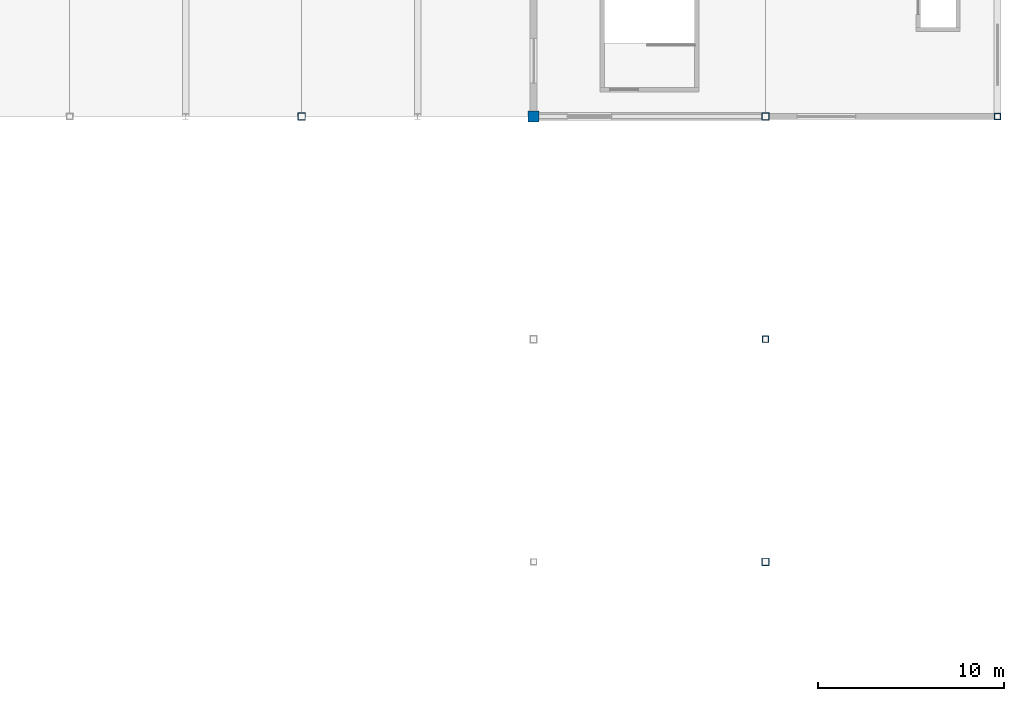
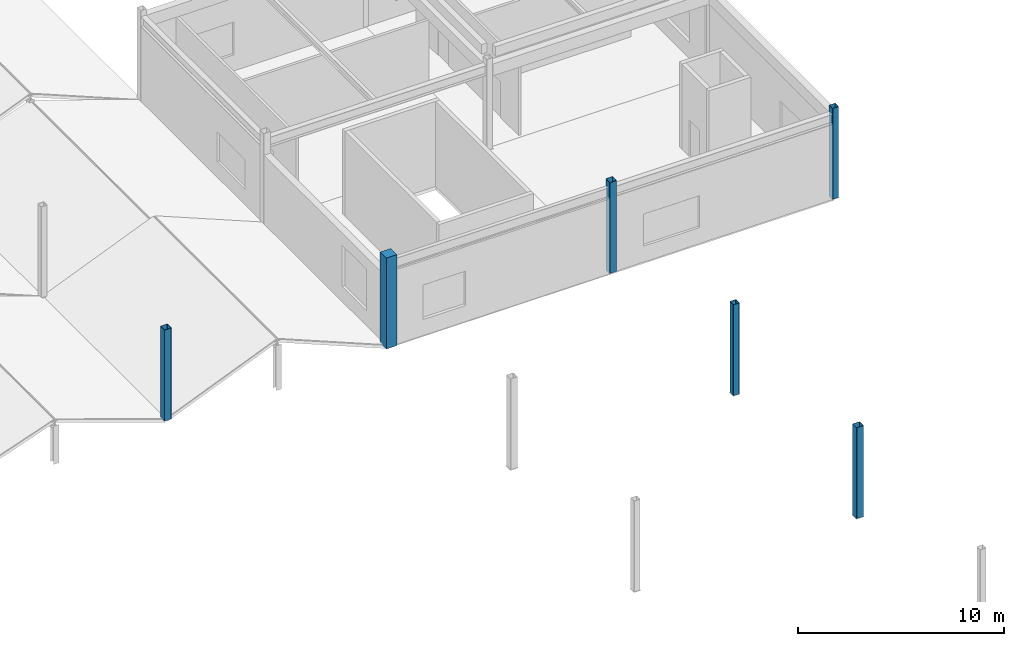
# One storey, part 18 of 76: 6 columns.
"""IFC4 building model written with IfcOpenShell, lengths in metres."""

from ifc_helpers import new_model, si_unit, direction, frame, origin, origin_2d, place, context, subcontext, project, spatial, rectangle, hollow_rectangle, extrude, material, material_profile, profile_set, type_object, element, save


model = new_model("IFC4")

# Units and contexts
model_context = context("Model", 3, precision=1e-05, world=origin(), true_north=direction((0.0, 1.0)))
body_context = subcontext(model_context, "Body", "Model", "MODEL_VIEW")
ifc_project = project(units=[si_unit("LENGTHUNIT", "METRE"), si_unit("AREAUNIT", "SQUARE_METRE"), si_unit("VOLUMEUNIT", "CUBIC_METRE"), si_unit("PLANEANGLEUNIT", "RADIAN"), si_unit("MASSUNIT", "GRAM", prefix="KILO")], contexts=[model_context])

# Site, building, storey
site_placement = place(None, origin())
site = spatial("IfcSite", under=ifc_project, at=site_placement, CompositionType="ELEMENT")
building_placement = place(site_placement, origin())
building = spatial("IfcBuilding", under=site, at=building_placement, Name="Kazenohara Klinker Stadium", CompositionType="ELEMENT")
storey_placement = place(building_placement, frame((0.0, 0.0, 25.800048828125)))
storey = spatial("IfcBuildingStorey", under=building, at=storey_placement, Name="L05", CompositionType="ELEMENT", Elevation=25.800048828125)

# Columns
ifc_material_1 = material(Name="Concrete C40/50", Category="concrete")
ifc_material_profile_1 = material_profile(ifc_material_1, rectangle(XDim=0.60009765625, YDim=0.60009765625, at=origin_2d()), Name="RC-COL-600x600")
ifc_profile_set_1 = profile_set([ifc_material_profile_1], Name="Concrete C40/50")
column_type_1 = type_object("IfcColumnType", Name="COL-RC07", PredefinedType="COLUMN", material=ifc_profile_set_1)
column_placement = place(storey_placement, frame((175.0, 132.0, 0.0), z_axis=(0.0, 0.0, 1.0), x_axis=(1.0, 0.0, 0.0)))
element("IfcColumn", 1, at=column_placement, inside=storey, type_object=column_type_1, Name="Column C07 L05 15/M", PredefinedType="COLUMN", context=body_context, shape_type="SweptSolid", body=[
    extrude(rectangle(XDim=0.60009765625, YDim=0.60009765625, at=origin_2d()), origin(), (0.0, 0.0, 1.0), 5.39990234375),
])
ifc_material_2 = material(Name="Steel S355", Category="steel")
ifc_material_profile_2 = material_profile(ifc_material_2, hollow_rectangle(XDim=0.39990234375, YDim=0.39990234375, WallThickness=0.01611328125, InnerFilletRadius=0.01611328125, OuterFilletRadius=0.031982421875, at=origin_2d()), Name="SHS-400x400x16")
ifc_profile_set_2 = profile_set([ifc_material_profile_2], Name="Steel S355")
column_type_2 = type_object("IfcColumnType", Name="COL-ST01", PredefinedType="COLUMN", material=ifc_profile_set_2)
for number, where, z_axis, x_axis, name in (
    (2, (187.5, 132.0, 0.0), (0.0, 0.0, 1.0), (1.0, 0.0, 0.0), "Column SC01 L05 16/M"),
    (3, (162.5, 132.0, 0.0), (0.0, 0.0, 1.0), (1.0, 0.0, 0.0), "Canopy ring support column SC01 L05 14/M"),
    (4, (187.5, 108.0, 0.0), (0.0, 0.0, 1.0), (1.0, 0.0, 0.0), "Canopy ring support column SC01 L05 16/K"),
):
    element("IfcColumn", number, at=place(storey_placement, frame(where, z_axis=z_axis, x_axis=x_axis)), inside=storey, type_object=column_type_2, Name=name, PredefinedType="COLUMN", context=body_context, shape_type="SweptSolid", body=[
        extrude(hollow_rectangle(XDim=0.39990234375, YDim=0.39990234375, WallThickness=0.01611328125, InnerFilletRadius=0.01611328125, OuterFilletRadius=0.031982421875, at=origin_2d()), origin(), (0.0, 0.0, 1.0), 5.39990234375),
    ])
ifc_material_profile_3 = material_profile(ifc_material_2, hollow_rectangle(XDim=0.35009765625, YDim=0.35009765625, WallThickness=0.01611328125, InnerFilletRadius=0.01611328125, OuterFilletRadius=0.031982421875, at=origin_2d()), Name="SHS-350x350x16")
ifc_profile_set_3 = profile_set([ifc_material_profile_3], Name="Steel S355")
column_type_3 = type_object("IfcColumnType", Name="COL-ST02", PredefinedType="COLUMN", material=ifc_profile_set_3)
for number, where, z_axis, x_axis, name in (
    (5, (200.0, 132.0, 0.0), (0.0, 0.0, 1.0), (1.0, 0.0, 0.0), "Column SC02 L05 17/M"),
    (6, (187.5, 120.0, 0.0), (0.0, 0.0, 1.0), (1.0, 0.0, 0.0), "Canopy ring support column SC02 L05 16/L"),
):
    element("IfcColumn", number, at=place(storey_placement, frame(where, z_axis=z_axis, x_axis=x_axis)), inside=storey, type_object=column_type_3, Name=name, PredefinedType="COLUMN", context=body_context, shape_type="SweptSolid", body=[
        extrude(hollow_rectangle(XDim=0.35009765625, YDim=0.35009765625, WallThickness=0.01611328125, InnerFilletRadius=0.01611328125, OuterFilletRadius=0.031982421875, at=origin_2d()), origin(), (0.0, 0.0, 1.0), 5.39990234375),
    ])

save(model, "model.ifc")
